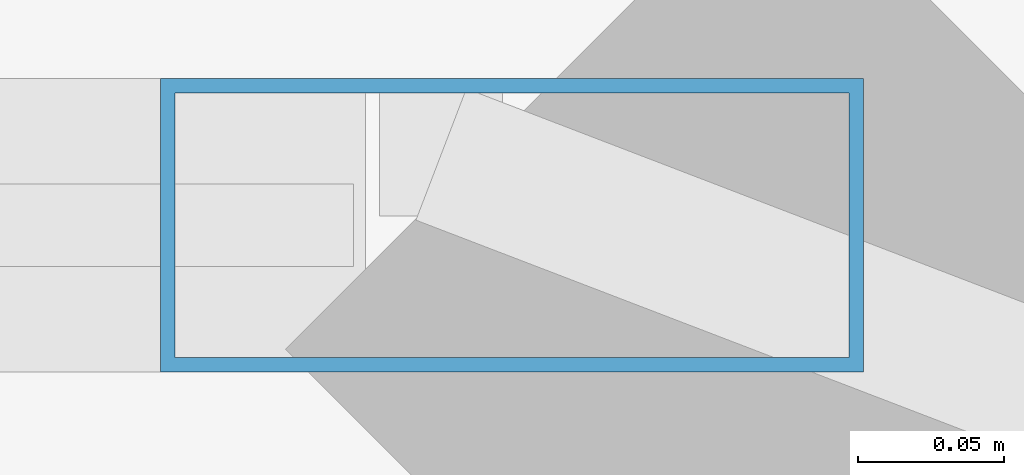
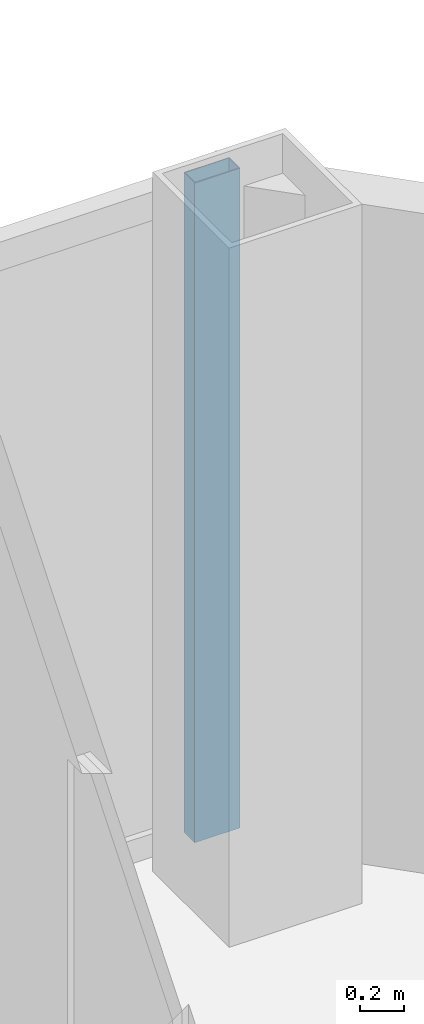
# One storey, part 22 of 32: 1 member, 1 element without a shape of its own.
"""IFC4 building model written with IfcOpenShell, lengths in metres."""

from ifc_helpers import new_model, si_unit, direction, frame, origin, origin_2d, place, context, subcontext, project, spatial, hollow_rectangle, extrude, material, layer, layer_set, material_profile, profile_set, type_object, element, aggregate, save


model = new_model("IFC4")

# Units and contexts
model_context = context("Model", 3, precision=1e-05, world=origin(), true_north=direction((0.0, 1.0)))
body_context = subcontext(model_context, "Body", "Model", "MODEL_VIEW")
ifc_project = project(units=[si_unit("LENGTHUNIT", "METRE"), si_unit("AREAUNIT", "SQUARE_METRE"), si_unit("VOLUMEUNIT", "CUBIC_METRE"), si_unit("PLANEANGLEUNIT", "RADIAN"), si_unit("MASSUNIT", "GRAM", prefix="KILO")], contexts=[model_context])

# Site, building, storey
site_placement = place(None, origin())
site = spatial("IfcSite", under=ifc_project, at=site_placement, CompositionType="ELEMENT")
building_placement = place(site_placement, origin())
building = spatial("IfcBuilding", under=site, at=building_placement, Name="Khorvyn Point Tower", CompositionType="ELEMENT")
storey_placement = place(building_placement, frame((0.0, 0.0, 148.5)))
storey = spatial("IfcBuildingStorey", under=building, at=storey_placement, Name="L37", CompositionType="ELEMENT", Elevation=148.5)

# Curtain wall, member
ifc_material_1 = material(Name="Anodised aluminium 6063-T6 and laminated Low-E glass", Category="aluminium")
ifc_layer = layer(ifc_material_1, 0.18994140625)
ifc_layer_set = layer_set([ifc_layer], Name="Stick-Built Acoustic Curtain Wall CW-SYS-03")
curtain_wall_type = type_object("IfcCurtainWallType", Name="Stick-Built Acoustic Curtain Wall CW-SYS-03", PredefinedType="NOTDEFINED", material=ifc_layer_set)
curtain_wall_placement = place(storey_placement, origin())
curtain_wall = element("IfcCurtainWall", 1, at=curtain_wall_placement, inside=storey, type_object=curtain_wall_type, Name="Curtain Wall", PredefinedType="NOTDEFINED")
ifc_material_2 = material(Name="Anodised aluminium 6063-T6", Category="aluminium")
ifc_material_profile = material_profile(ifc_material_2, hollow_rectangle(XDim=0.10009765625, YDim=0.239990234375, WallThickness=0.0048828125, at=origin_2d()))
ifc_profile_set = profile_set([ifc_material_profile], Name="Anodised aluminium 6063-T6 ALU-MUL-100x240")
member_type = type_object("IfcMemberType", Name="Anodised Aluminium 6063-T6 Mullion ALU-MUL-100x240", PredefinedType="MULLION", material=ifc_profile_set)
member_placement = place(storey_placement, frame((23.10009765625, 23.64990234375, 0.0), z_axis=(0.0, 0.0, 1.0), x_axis=(0.0, 1.0, 0.0)))
member = element("IfcMember", 2, at=member_placement, type_object=member_type, Name="Transom", PredefinedType="MULLION", context=body_context, shape_type="SweptSolid", body=[
    extrude(hollow_rectangle(XDim=0.10009765625, YDim=0.239990234375, WallThickness=0.0048828125, at=origin_2d()), origin(), (0.0, 0.0, 1.0), 3.679931640625),
])
aggregate(curtain_wall, [member])

save(model, "model.ifc")
